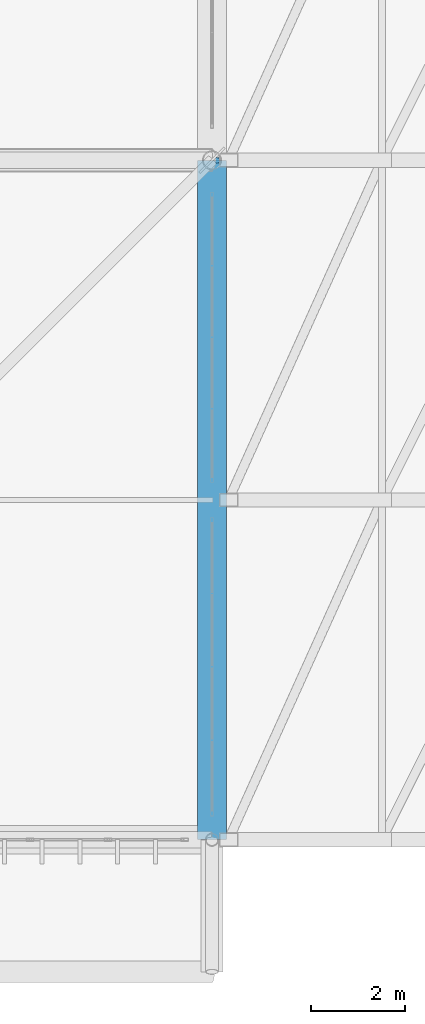
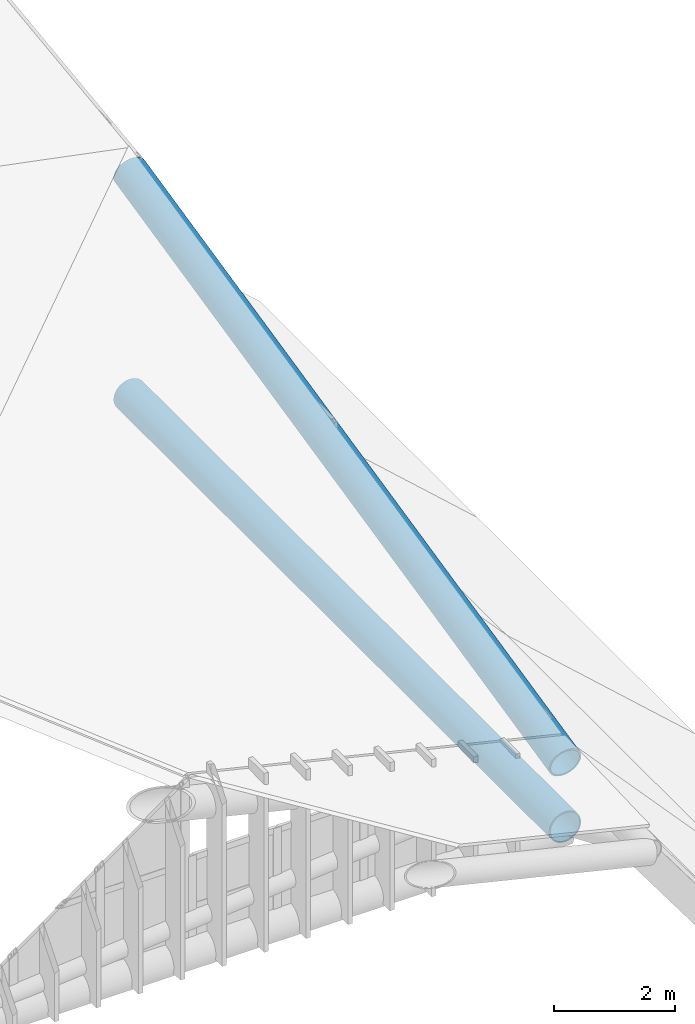
# One storey, part 127 of 397: 2 beams.
"""IFC4 building model written with IfcOpenShell, lengths in metres."""

from ifc_helpers import new_model, si_unit, direction, frame, origin, origin_2d, place, context, subcontext, project, spatial, hollow_circle, extrude, material, material_profile, profile_set, type_object, element, save


model = new_model("IFC4")

# Units and contexts
model_context = context("Model", 3, precision=1e-05, world=origin(), true_north=direction((0.0, 1.0)))
body_context = subcontext(model_context, "Body", "Model", "MODEL_VIEW")
ifc_project = project(units=[si_unit("LENGTHUNIT", "METRE"), si_unit("AREAUNIT", "SQUARE_METRE"), si_unit("VOLUMEUNIT", "CUBIC_METRE"), si_unit("PLANEANGLEUNIT", "RADIAN"), si_unit("MASSUNIT", "GRAM", prefix="KILO")], contexts=[model_context])

# Site, building, storey
site_placement = place(None, origin())
site = spatial("IfcSite", under=ifc_project, at=site_placement, CompositionType="ELEMENT")
building_placement = place(site_placement, origin())
building = spatial("IfcBuilding", under=site, at=building_placement, Name="Qandorah Velis Arena", CompositionType="ELEMENT")
storey_placement = place(building_placement, frame((0.0, 0.0, 27.5)))
storey = spatial("IfcBuildingStorey", under=building, at=storey_placement, Name="RF", CompositionType="ELEMENT", Elevation=27.5)

# Beams
ifc_material = material(Name="Steel S460", Category="steel")
ifc_material_profile_1 = material_profile(ifc_material, hollow_circle(Radius=0.304931640625, WallThickness=0.02490234375, at=origin_2d()), Name="CHS 610x25")
ifc_profile_set_1 = profile_set([ifc_material_profile_1], Name="Steel S460")
beam_type_1 = type_object("IfcBeamType", Name="STR-SFC-CHS610X25", PredefinedType="USERDEFINED", material=ifc_profile_set_1)
beam_1_placement = place(storey_placement, frame((115.199951171875, 14.39990234375, 0.10009765625), z_axis=(0.0, 1.0, 0.0), x_axis=(-1.0, 0.0, 0.0)))
element("IfcBeam", 1, at=beam_1_placement, inside=storey, type_object=beam_type_1, Name="Space frame roof truss bottom chord Y 7.0", ObjectType="ROOF TRUSS", PredefinedType="USERDEFINED", context=body_context, shape_type="SweptSolid", body=[
    extrude(hollow_circle(Radius=0.304931640625, WallThickness=0.02490234375, at=origin_2d()), origin(), (0.0, 0.0, 1.0), 14.400146484375),
])
ifc_material_profile_2 = material_profile(ifc_material, hollow_circle(Radius=0.304931640625, WallThickness=0.031982421875, at=origin_2d()), Name="CHS 610x32")
ifc_profile_set_2 = profile_set([ifc_material_profile_2], Name="Steel S460")
beam_type_2 = type_object("IfcBeamType", Name="STR-SFC-CHS610X32", PredefinedType="USERDEFINED", material=ifc_profile_set_2)
beam_2_placement = place(storey_placement, frame((115.199951171875, 14.39990234375, 1.39990234375), z_axis=(0.0, 0.976065423489, 0.217477100105), x_axis=(-1.0, 0.0, 0.0)))
element("IfcBeam", 2, at=beam_2_placement, inside=storey, type_object=beam_type_2, Name="Space frame roof truss top chord Y 7.0", ObjectType="ROOF TRUSS", PredefinedType="USERDEFINED", context=body_context, shape_type="SweptSolid", body=[
    extrude(hollow_circle(Radius=0.304931640625, WallThickness=0.031982421875, at=origin_2d()), origin(), (0.0, 0.0, 1.0), 14.753173828125),
])

save(model, "model.ifc")
